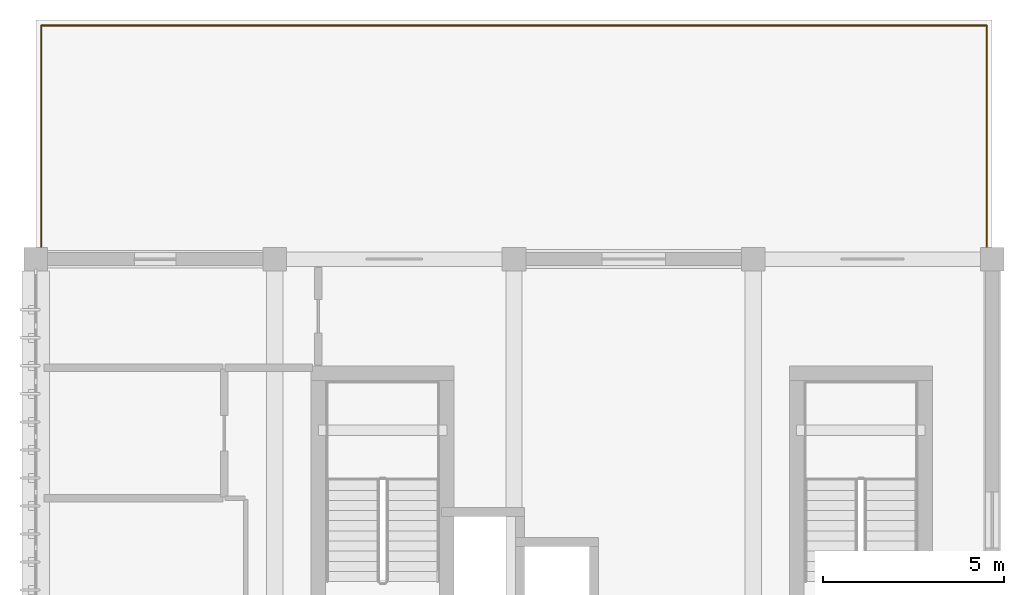
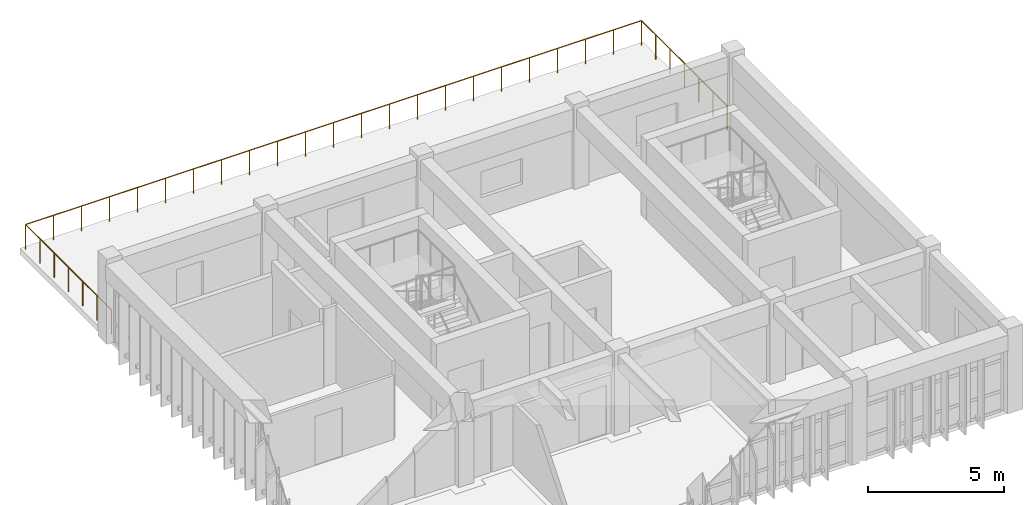
# One storey, part 8 of 8: 1 railing.
"""IFC4 building model written with IfcOpenShell, lengths in metres."""

from ifc_helpers import new_model, si_unit, direction, frame, origin, origin_2d, place, context, subcontext, project, spatial, circle, extrude, material, type_object, element, save


model = new_model("IFC4")

# Units and contexts
model_context = context("Model", 3, precision=1e-05, world=origin(), true_north=direction((0.0, 1.0)))
body_context = subcontext(model_context, "Body", "Model", "MODEL_VIEW")
ifc_project = project(units=[si_unit("LENGTHUNIT", "METRE"), si_unit("AREAUNIT", "SQUARE_METRE"), si_unit("VOLUMEUNIT", "CUBIC_METRE"), si_unit("PLANEANGLEUNIT", "RADIAN"), si_unit("MASSUNIT", "GRAM", prefix="KILO")], contexts=[model_context])

# Site, building, storey
site_placement = place(None, origin())
site = spatial("IfcSite", under=ifc_project, at=site_placement, CompositionType="ELEMENT")
building_placement = place(site_placement, origin())
building = spatial("IfcBuilding", under=site, at=building_placement, Name="Miralva Faculty of Natural Sciences", CompositionType="ELEMENT")
storey_placement = place(building_placement, frame((0.0, 0.0, 36.800048828125)))
storey = spatial("IfcBuildingStorey", under=building, at=storey_placement, Name="L08", CompositionType="ELEMENT", Elevation=36.800048828125)

# Railing
ifc_material = material(Name="Steel S355", Category="steel")
railing_type = type_object("IfcRailingType", Name="RL-GR03", PredefinedType="GUARDRAIL", material=ifc_material)
railing_placement = place(storey_placement, frame((3.14990234375, 23.550048828125, 0.0)))
element("IfcRailing", 1, at=railing_placement, inside=storey, type_object=railing_type, Name="Walkable terrace perimeter safety guard L08", PredefinedType="GUARDRAIL", context=body_context, shape_type="SweptSolid", body=[
    extrude(circle(Radius=0.02392578125, at=origin_2d()), frame((0.0, 0.0, 1.09619140625), z_axis=(0.0, 1.0, 0.0), x_axis=(-1.0, 0.0, 0.0)), (0.0, 0.0, 1.0), 6.300048828125),
    extrude(circle(Radius=0.02392578125, at=origin_2d()), frame((0.0, 6.300048828125, 1.09619140625), z_axis=(1.0, 0.0, 0.0), x_axis=(0.0, 1.0, 0.0)), (0.0, 0.0, 1.0), 26.10009765625),
    extrude(circle(Radius=0.02392578125, at=origin_2d()), frame((26.10009765625, 6.300048828125, 1.09619140625), z_axis=(0.0, -1.0, 0.0), x_axis=(1.0, 0.0, 0.0)), (0.0, 0.0, 1.0), 6.300048828125),
    extrude(circle(Radius=0.02099609375, at=origin_2d()), origin(), (0.0, 0.0, 1.0), 1.072021484375),
    extrude(circle(Radius=0.02099609375, at=origin_2d()), frame((0.0, 1.050048828125, 0.0)), (0.0, 0.0, 1.0), 1.072021484375),
    extrude(circle(Radius=0.02099609375, at=origin_2d()), frame((0.0, 2.10009765625, 0.0)), (0.0, 0.0, 1.0), 1.072021484375),
    extrude(circle(Radius=0.02099609375, at=origin_2d()), frame((0.0, 3.14990234375, 0.0)), (0.0, 0.0, 1.0), 1.072021484375),
    extrude(circle(Radius=0.02099609375, at=origin_2d()), frame((0.0, 4.199951171875, 0.0)), (0.0, 0.0, 1.0), 1.072021484375),
    extrude(circle(Radius=0.02099609375, at=origin_2d()), frame((0.0, 5.25, 0.0)), (0.0, 0.0, 1.0), 1.072021484375),
    extrude(circle(Radius=0.02099609375, at=origin_2d()), frame((0.0, 6.300048828125, 0.0)), (0.0, 0.0, 1.0), 1.072021484375),
    extrude(circle(Radius=0.02099609375, at=origin_2d()), frame((1.186279296875, 6.300048828125, 0.0)), (0.0, 0.0, 1.0), 1.072021484375),
    extrude(circle(Radius=0.02099609375, at=origin_2d()), frame((2.372802734375, 6.300048828125, 0.0)), (0.0, 0.0, 1.0), 1.072021484375),
    extrude(circle(Radius=0.02099609375, at=origin_2d()), frame((3.55908203125, 6.300048828125, 0.0)), (0.0, 0.0, 1.0), 1.072021484375),
    extrude(circle(Radius=0.02099609375, at=origin_2d()), frame((4.745361328125, 6.300048828125, 0.0)), (0.0, 0.0, 1.0), 1.072021484375),
    extrude(circle(Radius=0.02099609375, at=origin_2d()), frame((5.931884765625, 6.300048828125, 0.0)), (0.0, 0.0, 1.0), 1.072021484375),
    extrude(circle(Radius=0.02099609375, at=origin_2d()), frame((7.1181640625, 6.300048828125, 0.0)), (0.0, 0.0, 1.0), 1.072021484375),
    extrude(circle(Radius=0.02099609375, at=origin_2d()), frame((8.3046875, 6.300048828125, 0.0)), (0.0, 0.0, 1.0), 1.072021484375),
    extrude(circle(Radius=0.02099609375, at=origin_2d()), frame((9.490966796875, 6.300048828125, 0.0)), (0.0, 0.0, 1.0), 1.072021484375),
    extrude(circle(Radius=0.02099609375, at=origin_2d()), frame((10.67724609375, 6.300048828125, 0.0)), (0.0, 0.0, 1.0), 1.072021484375),
    extrude(circle(Radius=0.02099609375, at=origin_2d()), frame((11.86376953125, 6.300048828125, 0.0)), (0.0, 0.0, 1.0), 1.072021484375),
    extrude(circle(Radius=0.02099609375, at=origin_2d()), frame((13.050048828125, 6.300048828125, 0.0)), (0.0, 0.0, 1.0), 1.072021484375),
    extrude(circle(Radius=0.02099609375, at=origin_2d()), frame((14.236328125, 6.300048828125, 0.0)), (0.0, 0.0, 1.0), 1.072021484375),
    extrude(circle(Radius=0.02099609375, at=origin_2d()), frame((15.4228515625, 6.300048828125, 0.0)), (0.0, 0.0, 1.0), 1.072021484375),
    extrude(circle(Radius=0.02099609375, at=origin_2d()), frame((16.609130859375, 6.300048828125, 0.0)), (0.0, 0.0, 1.0), 1.072021484375),
    extrude(circle(Radius=0.02099609375, at=origin_2d()), frame((17.79541015625, 6.300048828125, 0.0)), (0.0, 0.0, 1.0), 1.072021484375),
    extrude(circle(Radius=0.02099609375, at=origin_2d()), frame((18.98193359375, 6.300048828125, 0.0)), (0.0, 0.0, 1.0), 1.072021484375),
    extrude(circle(Radius=0.02099609375, at=origin_2d()), frame((20.168212890625, 6.300048828125, 0.0)), (0.0, 0.0, 1.0), 1.072021484375),
    extrude(circle(Radius=0.02099609375, at=origin_2d()), frame((21.354736328125, 6.300048828125, 0.0)), (0.0, 0.0, 1.0), 1.072021484375),
    extrude(circle(Radius=0.02099609375, at=origin_2d()), frame((22.541015625, 6.300048828125, 0.0)), (0.0, 0.0, 1.0), 1.072021484375),
    extrude(circle(Radius=0.02099609375, at=origin_2d()), frame((23.727294921875, 6.300048828125, 0.0)), (0.0, 0.0, 1.0), 1.072021484375),
    extrude(circle(Radius=0.02099609375, at=origin_2d()), frame((24.913818359375, 6.300048828125, 0.0)), (0.0, 0.0, 1.0), 1.072021484375),
    extrude(circle(Radius=0.02099609375, at=origin_2d()), frame((26.10009765625, 6.300048828125, 0.0)), (0.0, 0.0, 1.0), 1.072021484375),
    extrude(circle(Radius=0.02099609375, at=origin_2d()), frame((26.10009765625, 5.25, 0.0)), (0.0, 0.0, 1.0), 1.072021484375),
    extrude(circle(Radius=0.02099609375, at=origin_2d()), frame((26.10009765625, 4.199951171875, 0.0)), (0.0, 0.0, 1.0), 1.072021484375),
    extrude(circle(Radius=0.02099609375, at=origin_2d()), frame((26.10009765625, 3.14990234375, 0.0)), (0.0, 0.0, 1.0), 1.072021484375),
    extrude(circle(Radius=0.02099609375, at=origin_2d()), frame((26.10009765625, 2.10009765625, 0.0)), (0.0, 0.0, 1.0), 1.072021484375),
    extrude(circle(Radius=0.02099609375, at=origin_2d()), frame((26.10009765625, 1.050048828125, 0.0)), (0.0, 0.0, 1.0), 1.072021484375),
    extrude(circle(Radius=0.02099609375, at=origin_2d()), frame((26.10009765625, 0.0, 0.0)), (0.0, 0.0, 1.0), 1.072021484375),
])

save(model, "model.ifc")
